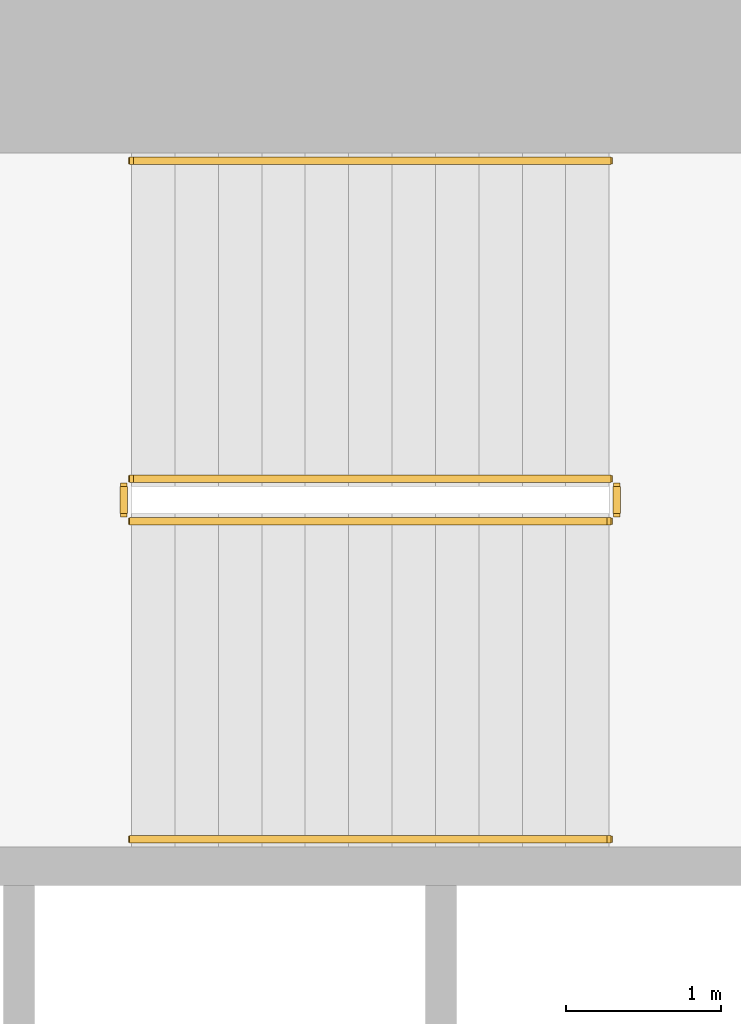
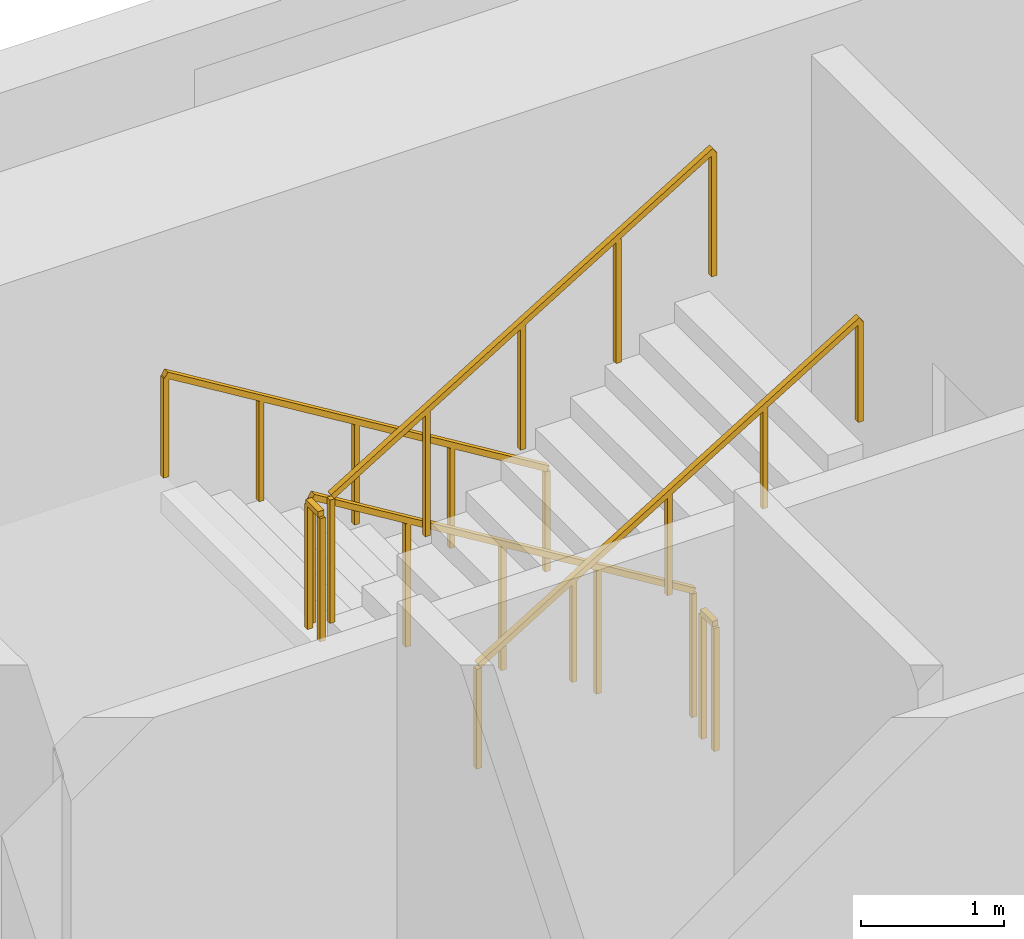
# One storey, part 14 of 15: 6 railings.
"""IFC4 building model written with IfcOpenShell, lengths in metres."""

from ifc_helpers import new_model, si_unit, direction, frame, origin, origin_2d, place, context, subcontext, project, spatial, rectangle, extrude, material, type_object, element, save


model = new_model("IFC4")

# Units and contexts
model_context = context("Model", 3, precision=1e-05, world=origin(), true_north=direction((0.0, 1.0)))
body_context = subcontext(model_context, "Body", "Model", "MODEL_VIEW")
ifc_project = project(units=[si_unit("LENGTHUNIT", "METRE"), si_unit("AREAUNIT", "SQUARE_METRE"), si_unit("VOLUMEUNIT", "CUBIC_METRE"), si_unit("PLANEANGLEUNIT", "RADIAN"), si_unit("MASSUNIT", "GRAM", prefix="KILO")], contexts=[model_context])

# Site, building, storey
site_placement = place(None, origin())
site = spatial("IfcSite", under=ifc_project, at=site_placement, CompositionType="ELEMENT")
building_placement = place(site_placement, origin())
building = spatial("IfcBuilding", under=site, at=building_placement, Name="Cypress Arch Tower", CompositionType="ELEMENT")
storey_placement = place(building_placement, frame((0.0, 0.0, 259.800048828125)))
storey = spatial("IfcBuildingStorey", under=building, at=storey_placement, Name="L58", CompositionType="ELEMENT", Elevation=259.800048828125)

# Railings
ifc_material_1 = material(Name="Black powder-coated steel square bar 48 mm", Category="steel")
railing_type_1 = type_object("IfcRailingType", Name="Stair handrail HR1", PredefinedType="HANDRAIL", material=ifc_material_1)
railing_1_placement = place(storey_placement, frame((-22.27490234375, 14.75, 0.1708984375)))
element("IfcRailing", 1, at=railing_1_placement, inside=storey, type_object=railing_type_1, Name="L58 B stair handrail 1", PredefinedType="HANDRAIL", context=body_context, shape_type="SweptSolid", body=[
    extrude(rectangle(XDim=0.048095703125, YDim=0.048095703125, at=origin_2d()), frame((0.0, 0.0, 0.8759765625), z_axis=(-0.853666305674, 0.0, 0.52082035152), x_axis=(0.0, -1.0, 0.0)), (0.0, 0.0, 1.0), 3.608154296875),
    extrude(rectangle(XDim=0.0419921875, YDim=0.0419921875, at=origin_2d()), origin(), (0.0, 0.0, 1.0), 0.851806640625),
    extrude(rectangle(XDim=0.0419921875, YDim=0.0419921875, at=origin_2d()), frame((-0.77001953125, 0.0, 0.4697265625)), (0.0, 0.0, 1.0), 0.851806640625),
    extrude(rectangle(XDim=0.0419921875, YDim=0.0419921875, at=origin_2d()), frame((-1.5400390625, 0.0, 0.939453125)), (0.0, 0.0, 1.0), 0.851806640625),
    extrude(rectangle(XDim=0.0419921875, YDim=0.0419921875, at=origin_2d()), frame((-2.31005859375, 0.0, 1.409423828125)), (0.0, 0.0, 1.0), 0.851806640625),
    extrude(rectangle(XDim=0.0419921875, YDim=0.0419921875, at=origin_2d()), frame((-3.080078125, 0.0, 1.879150390625)), (0.0, 0.0, 1.0), 0.851806640625),
])
railing_2_placement = place(storey_placement, frame((-25.35498046875, 10.375, 2.220703125)))
element("IfcRailing", 2, at=railing_2_placement, inside=storey, type_object=railing_type_1, Name="L58 B stair handrail 2", PredefinedType="HANDRAIL", context=body_context, shape_type="SweptSolid", body=[
    extrude(rectangle(XDim=0.048095703125, YDim=0.048095703125, at=origin_2d()), frame((0.0, 0.0, 0.8759765625), z_axis=(0.853666305674, 0.0, 0.52082035152), x_axis=(0.0, 1.0, 0.0)), (0.0, 0.0, 1.0), 3.608154296875),
    extrude(rectangle(XDim=0.0419921875, YDim=0.0419921875, at=origin_2d()), origin(), (0.0, 0.0, 1.0), 0.851806640625),
    extrude(rectangle(XDim=0.0419921875, YDim=0.0419921875, at=origin_2d()), frame((0.77001953125, 0.0, 0.4697265625)), (0.0, 0.0, 1.0), 0.851806640625),
    extrude(rectangle(XDim=0.0419921875, YDim=0.0419921875, at=origin_2d()), frame((1.5400390625, 0.0, 0.939453125)), (0.0, 0.0, 1.0), 0.851806640625),
    extrude(rectangle(XDim=0.0419921875, YDim=0.0419921875, at=origin_2d()), frame((2.31005859375, 0.0, 1.409423828125)), (0.0, 0.0, 1.0), 0.851806640625),
    extrude(rectangle(XDim=0.0419921875, YDim=0.0419921875, at=origin_2d()), frame((3.080078125, 0.0, 1.879150390625)), (0.0, 0.0, 1.0), 0.851806640625),
])
ifc_material_2 = material(Name="Black powder-coated steel balusters", Category="steel")
railing_type_2 = type_object("IfcRailingType", Name="Stair well guard G1", PredefinedType="GUARDRAIL", material=ifc_material_2)
railing_3_placement = place(storey_placement, frame((-22.27490234375, 12.699951171875, 0.1708984375)))
element("IfcRailing", 3, at=railing_3_placement, inside=storey, type_object=railing_type_2, Name="L58 B stair guard 1", PredefinedType="GUARDRAIL", context=body_context, shape_type="SweptSolid", body=[
    extrude(rectangle(XDim=0.048095703125, YDim=0.048095703125, at=origin_2d()), frame((0.0, 0.0, 1.076171875), z_axis=(-0.853666305674, 0.0, 0.52082035152), x_axis=(0.0, -1.0, 0.0)), (0.0, 0.0, 1.0), 3.608154296875),
    extrude(rectangle(XDim=0.0419921875, YDim=0.0419921875, at=origin_2d()), origin(), (0.0, 0.0, 1.0), 1.052001953125),
    extrude(rectangle(XDim=0.0419921875, YDim=0.0419921875, at=origin_2d()), frame((-0.77001953125, 0.0, 0.4697265625)), (0.0, 0.0, 1.0), 1.052001953125),
    extrude(rectangle(XDim=0.0419921875, YDim=0.0419921875, at=origin_2d()), frame((-1.5400390625, 0.0, 0.939453125)), (0.0, 0.0, 1.0), 1.052001953125),
    extrude(rectangle(XDim=0.0419921875, YDim=0.0419921875, at=origin_2d()), frame((-2.31005859375, 0.0, 1.409423828125)), (0.0, 0.0, 1.0), 1.052001953125),
    extrude(rectangle(XDim=0.0419921875, YDim=0.0419921875, at=origin_2d()), frame((-3.080078125, 0.0, 1.879150390625)), (0.0, 0.0, 1.0), 1.052001953125),
])
railing_4_placement = place(storey_placement, frame((-25.405029296875, 12.64990234375, 2.050048828125)))
element("IfcRailing", 4, at=railing_4_placement, inside=storey, type_object=railing_type_2, Name="L58 B stair guard 2", PredefinedType="GUARDRAIL", context=body_context, shape_type="SweptSolid", body=[
    extrude(rectangle(XDim=0.048095703125, YDim=0.048095703125, at=origin_2d()), frame((0.0, 0.0, 1.076171875), z_axis=(0.0, -1.0, 0.0), x_axis=(1.0, 0.0, 0.0)), (0.0, 0.0, 1.0), 0.1748046875),
    extrude(rectangle(XDim=0.0419921875, YDim=0.0419921875, at=origin_2d()), origin(), (0.0, 0.0, 1.0), 1.052001953125),
    extrude(rectangle(XDim=0.0419921875, YDim=0.0419921875, at=origin_2d()), frame((0.0, -0.1748046875, 0.0)), (0.0, 0.0, 1.0), 1.052001953125),
])
railing_5_placement = place(storey_placement, frame((-25.35498046875, 12.425048828125, 2.220703125)))
element("IfcRailing", 5, at=railing_5_placement, inside=storey, type_object=railing_type_2, Name="L58 B stair guard 3", PredefinedType="GUARDRAIL", context=body_context, shape_type="SweptSolid", body=[
    extrude(rectangle(XDim=0.048095703125, YDim=0.048095703125, at=origin_2d()), frame((0.0, 0.0, 1.076171875), z_axis=(0.853666305674, 0.0, 0.52082035152), x_axis=(0.0, 1.0, 0.0)), (0.0, 0.0, 1.0), 3.608154296875),
    extrude(rectangle(XDim=0.0419921875, YDim=0.0419921875, at=origin_2d()), origin(), (0.0, 0.0, 1.0), 1.052001953125),
    extrude(rectangle(XDim=0.0419921875, YDim=0.0419921875, at=origin_2d()), frame((0.77001953125, 0.0, 0.4697265625)), (0.0, 0.0, 1.0), 1.052001953125),
    extrude(rectangle(XDim=0.0419921875, YDim=0.0419921875, at=origin_2d()), frame((1.5400390625, 0.0, 0.939453125)), (0.0, 0.0, 1.0), 1.052001953125),
    extrude(rectangle(XDim=0.0419921875, YDim=0.0419921875, at=origin_2d()), frame((2.31005859375, 0.0, 1.409423828125)), (0.0, 0.0, 1.0), 1.052001953125),
    extrude(rectangle(XDim=0.0419921875, YDim=0.0419921875, at=origin_2d()), frame((3.080078125, 0.0, 1.879150390625)), (0.0, 0.0, 1.0), 1.052001953125),
])
railing_6_placement = place(storey_placement, frame((-22.22509765625, 12.64990234375, 0.0)))
element("IfcRailing", 6, at=railing_6_placement, inside=storey, type_object=railing_type_2, Name="L58 B stair guard 4", PredefinedType="GUARDRAIL", context=body_context, shape_type="SweptSolid", body=[
    extrude(rectangle(XDim=0.048095703125, YDim=0.048095703125, at=origin_2d()), frame((0.0, 0.0, 1.076171875), z_axis=(0.0, -1.0, 0.0), x_axis=(1.0, 0.0, 0.0)), (0.0, 0.0, 1.0), 0.1748046875),
    extrude(rectangle(XDim=0.0419921875, YDim=0.0419921875, at=origin_2d()), origin(), (0.0, 0.0, 1.0), 1.052001953125),
    extrude(rectangle(XDim=0.0419921875, YDim=0.0419921875, at=origin_2d()), frame((0.0, -0.1748046875, 0.0)), (0.0, 0.0, 1.0), 1.052001953125),
])

save(model, "model.ifc")
